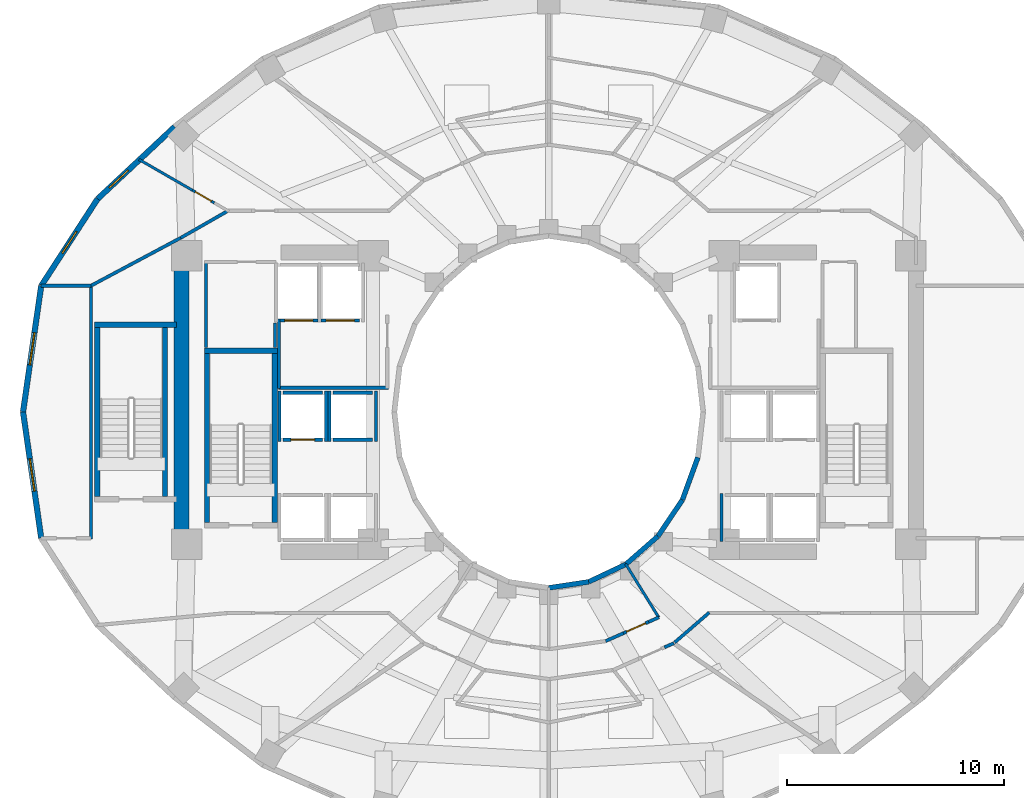
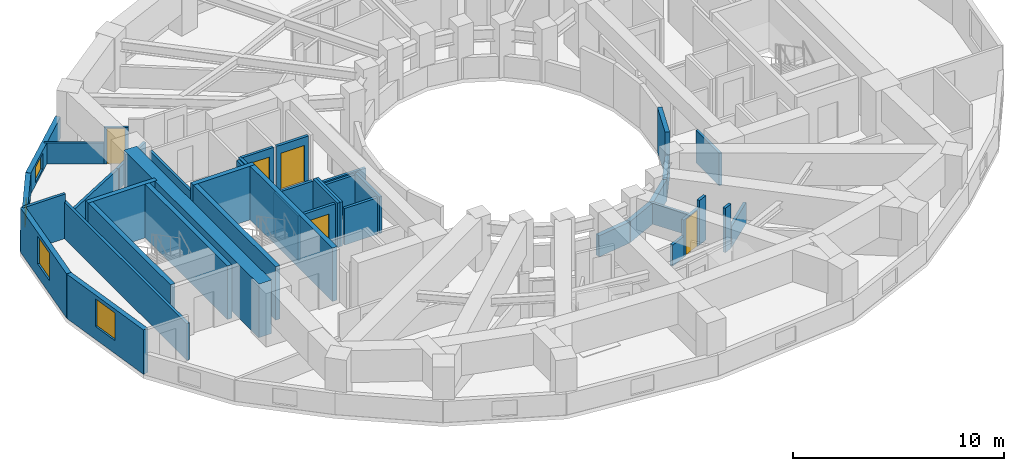
# One storey, part 4 of 9: 43 walls, 5 doors, 4 windows, 9 openings.
"""IFC4 building model written with IfcOpenShell, lengths in metres."""

from ifc_helpers import new_model, si_unit, direction, frame, frame_2d, origin, place, context, subcontext, project, spatial, rectangle, extrude, material, layer, layer_set, type_object, element, fill, save


model = new_model("IFC4")

# Units and contexts
model_context = context("Model", 3, precision=1e-05, world=origin(), true_north=direction((0.0, 1.0)))
body_context = subcontext(model_context, "Body", "Model", "MODEL_VIEW")
ifc_project = project(units=[si_unit("LENGTHUNIT", "METRE"), si_unit("AREAUNIT", "SQUARE_METRE"), si_unit("VOLUMEUNIT", "CUBIC_METRE"), si_unit("PLANEANGLEUNIT", "RADIAN"), si_unit("MASSUNIT", "GRAM", prefix="KILO")], contexts=[model_context])

# Site, building, storey
site_placement = place(None, origin())
site = spatial("IfcSite", under=ifc_project, at=site_placement, CompositionType="ELEMENT")
building_placement = place(site_placement, origin())
building = spatial("IfcBuilding", under=site, at=building_placement, Name="Solvane Sanctuary Tower", CompositionType="ELEMENT")
storey_placement = place(building_placement, frame((0.0, 0.0, 110.39990234375)))
storey = spatial("IfcBuildingStorey", under=building, at=storey_placement, Name="L33", CompositionType="ELEMENT", Elevation=110.39990234375)

# Walls
ifc_material_1 = material(Name="Concrete C60/75", Category="concrete")
ifc_layer_1 = layer(ifc_material_1, 0.699951171875, Name="Concrete C60/75")
ifc_layer_set_1 = layer_set([ifc_layer_1], Name="Concrete C60/75")
wall_type_1 = type_object("IfcWallType", Name="Wall W-CORE-700", PredefinedType="SHEAR", material=ifc_layer_set_1)
wall_1_placement = place(storey_placement, frame((15.050048828125, 17.050048828125, 0.0), z_axis=(0.0, 0.0, 1.0), x_axis=(0.0, 1.0, 0.0)))
element("IfcWall", 1, at=wall_1_placement, inside=storey, type_object=wall_type_1, Name="L33 Core Shear Wall WC-W", PredefinedType="SHEAR", context=body_context, shape_type="SweptSolid", body=[
    extrude(rectangle(XDim=12.800048828125, YDim=0.699951171875, at=frame_2d((6.39990234375, 0.0))), origin(), (0.0, 0.0, 1.0), 3.10009765625),
])
ifc_material_2 = material(Name="Acoustic Gypsum Partition Board")
ifc_layer_2 = layer(ifc_material_2, 0.14990234375, Name="Acoustic Gypsum Partition Board")
ifc_layer_set_2 = layer_set([ifc_layer_2], Name="Acoustic Gypsum Partition Board")
wall_type_2 = type_object("IfcWallType", Name="Wall W-CORR-150", PredefinedType="PARTITIONING", material=ifc_layer_set_2)
wall_2_placement = place(storey_placement, frame((19.52001953125, 24.1201171875, 0.0), z_axis=(0.0, 0.0, 1.0), x_axis=(1.0, 0.0, 0.0)))
element("IfcWall", 2, at=wall_2_placement, inside=storey, type_object=wall_type_2, Name="L33 West Firefighting Lobby South Wall", PredefinedType="PARTITIONING", context=body_context, shape_type="SweptSolid", body=[
    extrude(rectangle(XDim=5.080078125, YDim=0.14990234375, at=frame_2d((2.5400390625, 0.0))), origin(), (0.0, 0.0, 1.0), 2.1201171875),
])
wall_3_placement = place(storey_placement, frame((19.550048828125, 24.080078125, 0.0), z_axis=(0.0, 0.0, 1.0), x_axis=(0.0, 1.0, 0.0)))
element("IfcWall", 3, at=wall_3_placement, inside=storey, type_object=wall_type_2, Name="L33 West Firefighting Lobby West Wall", PredefinedType="PARTITIONING", context=body_context, shape_type="SweptSolid", body=[
    extrude(rectangle(XDim=3.199951171875, YDim=0.14990234375, at=frame_2d((1.60009765625, 0.0))), origin(), (0.0, 0.0, 1.0), 2.5751953125),
])
wall_4_placement = place(storey_placement, frame((10.8798828125, 17.134765625, 0.0), z_axis=(0.0, 0.0, 1.0), x_axis=(0.0, 1.0, 0.0)))
element("IfcWall", 4, at=wall_4_placement, inside=storey, type_object=wall_type_2, Name="L33 West Shoulder Back Wall", PredefinedType="PARTITIONING", context=body_context, shape_type="SweptSolid", body=[
    extrude(rectangle(XDim=11.73046875, YDim=0.14990234375, at=frame_2d((5.865234375, 0.0))), origin(), (0.0, 0.0, 1.0), 2.1201171875),
])
wall_5_placement = place(storey_placement, frame((8.558349609375, 28.8251953125, 0.0), z_axis=(0.0, 0.0, 1.0), x_axis=(1.0, 0.0, 0.0)))
element("IfcWall", 5, at=wall_5_placement, inside=storey, type_object=wall_type_2, Name="L33 West Shoulder North Wall", PredefinedType="PARTITIONING", context=body_context, shape_type="SweptSolid", body=[
    extrude(rectangle(XDim=2.321533203125, YDim=0.14990234375, at=frame_2d((1.16064453125, 0.0))), origin(), (0.0, 0.0, 1.0), 2.5751953125),
])
wall_6_placement = place(storey_placement, frame((10.8447265625, 28.806396484375, 0.0), z_axis=(0.0, 0.0, 1.0), x_axis=(0.88227840565, 0.470727962759, 0.0)))
element("IfcWall", 6, at=wall_6_placement, inside=storey, type_object=wall_type_2, Name="L33 NW Corner Closer 1", PredefinedType="PARTITIONING", context=body_context, shape_type="SweptSolid", body=[
    extrude(rectangle(XDim=4.806396484375, YDim=0.14990234375, at=frame_2d((2.4033203125, 0.0))), origin(), (0.0, 0.0, 1.0), 1.22021484375),
])
wall_7_placement = place(storey_placement, frame((17.243408203125, 32.3046875, 0.0), z_axis=(0.0, 0.0, 1.0), x_axis=(-0.867991349648, -0.496579315857, 0.0)))
element("IfcWall", 7, at=wall_7_placement, inside=storey, type_object=wall_type_2, Name="L33 NW Corner Wing Wall", PredefinedType="PARTITIONING", context=body_context, shape_type="SweptSolid", body=[
    extrude(rectangle(XDim=2.56689453125, YDim=0.14990234375, at=frame_2d((1.283447265625, 0.0))), origin(), (0.0, 0.0, 1.0), 1.22021484375),
])
wall_8_placement = place(storey_placement, frame((37.806640625, 12.35791015625, 0.0), z_axis=(0.0, 0.0, 1.0), x_axis=(0.756055312247, 0.654507727092, 0.0)))
element("IfcWall", 8, at=wall_8_placement, inside=storey, type_object=wall_type_2, Name="L33 SE Corner Throat Wall", PredefinedType="PARTITIONING", context=body_context, shape_type="SweptSolid", body=[
    extrude(rectangle(XDim=2.11083984375, YDim=0.14990234375, at=frame_2d((1.055419921875, 0.0))), origin(), (0.0, 0.0, 1.0), 1.22021484375),
])
wall_9_placement = place(storey_placement, frame((34.625244140625, 12.422607421875, 0.0), z_axis=(0.0, 0.0, 1.0), x_axis=(0.912863245368, 0.408265471546, 0.0)))
element("IfcWall", 9, at=wall_9_placement, inside=storey, type_object=wall_type_2, Name="L33 Inner Light-Well Corridor Wall S2", PredefinedType="PARTITIONING", context=body_context, shape_type="SweptSolid", body=[
    extrude(rectangle(XDim=0.90478515625, YDim=0.14990234375, at=frame_2d((0.452392578125, 0.0))), origin(), (0.0, 0.0, 1.0), 1.22021484375),
])

# Wall, opening, door
wall_10_placement = place(storey_placement, frame((35.451171875, 12.7919921875, 0.0), z_axis=(0.0, 0.0, 1.0), x_axis=(0.91289745036, 0.408188982122, 0.0)))
wall_10 = element("IfcWall", 10, at=wall_10_placement, inside=storey, type_object=wall_type_2, Name="L33 Inner Light-Well Corridor Wall S2", PredefinedType="PARTITIONING", context=body_context, shape_type="SweptSolid", body=[
    extrude(rectangle(XDim=1.269775390625, YDim=0.14990234375, at=frame_2d((0.634765625, 0.0))), origin(), (0.0, 0.0, 1.0), 2.16015625),
])
opening_1_placement = place(wall_10_placement, frame((0.159912109375, 0.0, 0.0)))
opening_1 = element("IfcOpeningElement", 11, at=opening_1_placement, cuts=wall_10, Name="Opening D-L33-16", PredefinedType="OPENING", context=body_context, shape_type="SweptSolid", body=[
    extrude(rectangle(XDim=0.949951171875, YDim=2.10009765625, at=frame_2d((0.47509765625, 1.050048828125))), frame((0.0, 0.0849609375, 0.0), z_axis=(0.0, -1.0, 0.0), x_axis=(1.0, 0.0, 0.0)), (0.0, 0.0, 1.0), 0.169921875),
])
ifc_material_3 = material(Name="Engineered Tropical Hardwood", Category="wood")
door_type_1 = type_object("IfcDoorType", Name="Door D-ROOM-950", OperationType="NOTDEFINED", PredefinedType="DOOR", material=ifc_material_3)
door_1_placement = place(opening_1_placement, origin())
door_1 = element("IfcDoor", 12, at=door_1_placement, inside=storey, type_object=door_type_1, Name="L33 Inner Light-Well Salon Door S2", OperationType="SINGLE_SWING_LEFT", OverallHeight=2.10009765625, OverallWidth=0.949951171875, PredefinedType="DOOR", context=body_context, shape_type="SweptSolid", body=[
    extrude(rectangle(XDim=0.949951171875, YDim=2.10009765625, at=frame_2d((0.47509765625, 1.050048828125))), frame((0.0, 0.02490234375, 0.0), z_axis=(0.0, -1.0, 0.0), x_axis=(1.0, 0.0, 0.0)), (0.0, 0.0, 1.0), 0.050048828125),
])
fill(opening_1, door_1)

# Walls
wall_11_placement = place(storey_placement, frame((36.6103515625, 13.310302734375, 0.0), z_axis=(0.0, 0.0, 1.0), x_axis=(0.912911125305, 0.40815839731, 0.0)))
element("IfcWall", 13, at=wall_11_placement, inside=storey, type_object=wall_type_2, Name="L33 Inner Light-Well Corridor Wall S2", PredefinedType="PARTITIONING", context=body_context, shape_type="SweptSolid", body=[
    extrude(rectangle(XDim=0.515625, YDim=0.14990234375, at=frame_2d((0.2578125, 0.0))), origin(), (0.0, 0.0, 1.0), 2.5751953125),
])
wall_12_placement = place(storey_placement, frame((37.34130859375, 12.135498046875, 0.0), z_axis=(0.0, 0.0, 1.0), x_axis=(0.914387769504, 0.404839482983, 0.0)))
element("IfcWall", 14, at=wall_12_placement, inside=storey, type_object=wall_type_2, Name="L33 Unit Corridor Wall S2", PredefinedType="PARTITIONING", context=body_context, shape_type="SweptSolid", body=[
    extrude(rectangle(XDim=0.470947265625, YDim=0.14990234375, at=frame_2d((0.2353515625, 0.0))), origin(), (0.0, 0.0, 1.0), 2.5751953125),
])

# Wall, opening, window
ifc_material_4 = material(Name="Precast concrete C40/50", Category="concrete")
ifc_layer_3 = layer(ifc_material_4, 0.260009765625, Name="Precast concrete C40/50")
ifc_layer_set_3 = layer_set([ifc_layer_3], Name="Precast concrete C40/50")
wall_type_3 = type_object("IfcWallType", Name="Wall W-EXT-250", PredefinedType="STANDARD", material=ifc_layer_set_3)
wall_13_placement = place(storey_placement, frame((14.734130859375, 36.1533203125, 0.0), z_axis=(0.0, 0.0, 1.0), x_axis=(-0.730162452258, -0.68327358599, 0.0)))
wall_13 = element("IfcWall", 15, at=wall_13_placement, inside=storey, type_object=wall_type_3, Name="L33 Ceramic-Printed Facade Wall 09", PredefinedType="STANDARD", context=body_context, shape_type="SweptSolid", body=[
    extrude(rectangle(XDim=4.868408203125, YDim=0.260009765625, at=frame_2d((2.43408203125, 0.0))), origin(), (0.0, 0.0, 1.0), 1.22021484375),
])
opening_2_placement = place(wall_13_placement, frame((2.919189453125, 0.0, 0.14990234375)))
opening_2 = element("IfcOpeningElement", 16, at=opening_2_placement, cuts=wall_13, Name="Opening WN-OPER-1200", PredefinedType="OPENING", context=body_context, shape_type="SweptSolid", body=[
    extrude(rectangle(XDim=1.199951171875, YDim=0.89990234375, at=frame_2d((0.60009765625, 0.449951171875))), frame((0.0, 0.139892578125, 0.0), z_axis=(0.0, -1.0, 0.0), x_axis=(1.0, 0.0, 0.0)), (0.0, 0.0, 1.0), 0.280029296875),
])
ifc_material_5 = material(Name="Dark Ceramic-Fritted Low-E Glass", Category="glass")
window_type_1 = type_object("IfcWindowType", Name="Window WN-OPER-1200", PartitioningType="SINGLE_PANEL", PredefinedType="WINDOW", material=ifc_material_5)
window_1_placement = place(opening_2_placement, origin())
window_1 = element("IfcWindow", 17, at=window_1_placement, inside=storey, type_object=window_type_1, Name="L33 Operable Facade Window 09", OverallHeight=0.89990234375, OverallWidth=1.199951171875, PartitioningType="SINGLE_PANEL", PredefinedType="WINDOW", context=body_context, shape_type="SweptSolid", body=[
    extrude(rectangle(XDim=1.199951171875, YDim=0.89990234375, at=frame_2d((0.60009765625, 0.449951171875))), frame((0.0, 0.030029296875, 0.0), z_axis=(0.0, -1.0, 0.0), x_axis=(1.0, 0.0, 0.0)), (0.0, 0.0, 1.0), 0.06005859375),
])
fill(opening_2, window_1)

wall_14_placement = place(storey_placement, frame((11.179443359375, 32.826904296875, 0.0), z_axis=(0.0, 0.0, 1.0), x_axis=(-0.544388392991, -0.838833283541, 0.0)))
wall_14 = element("IfcWall", 18, at=wall_14_placement, inside=storey, type_object=wall_type_3, Name="L33 Ceramic-Printed Facade Wall 10", PredefinedType="STANDARD", context=body_context, shape_type="SweptSolid", body=[
    extrude(rectangle(XDim=4.7783203125, YDim=0.260009765625, at=frame_2d((2.38916015625, 0.0))), origin(), (0.0, 0.0, 1.0), 1.22021484375),
])
opening_3_placement = place(wall_14_placement, frame((1.7890625, 0.0, 0.14990234375)))
opening_3 = element("IfcOpeningElement", 19, at=opening_3_placement, cuts=wall_14, Name="Opening WN-OPER-1200", PredefinedType="OPENING", context=body_context, shape_type="SweptSolid", body=[
    extrude(rectangle(XDim=1.199951171875, YDim=0.89990234375, at=frame_2d((0.60009765625, 0.449951171875))), frame((0.0, 0.139892578125, 0.0), z_axis=(0.0, -1.0, 0.0), x_axis=(1.0, 0.0, 0.0)), (0.0, 0.0, 1.0), 0.280029296875),
])
window_2_placement = place(opening_3_placement, origin())
window_2 = element("IfcWindow", 20, at=window_2_placement, inside=storey, type_object=window_type_1, Name="L33 Operable Facade Window 10", OverallHeight=0.89990234375, OverallWidth=1.199951171875, PartitioningType="SINGLE_PANEL", PredefinedType="WINDOW", context=body_context, shape_type="SweptSolid", body=[
    extrude(rectangle(XDim=1.199951171875, YDim=0.89990234375, at=frame_2d((0.60009765625, 0.449951171875))), frame((0.0, 0.030029296875, 0.0), z_axis=(0.0, -1.0, 0.0), x_axis=(1.0, 0.0, 0.0)), (0.0, 0.0, 1.0), 0.06005859375),
])
fill(opening_3, window_2)

wall_15_placement = place(storey_placement, frame((8.578125, 28.818603515625, 0.0), z_axis=(0.0, 0.0, 1.0), x_axis=(-0.142572472068, -0.98978436551, 0.0)))
wall_15 = element("IfcWall", 21, at=wall_15_placement, inside=storey, type_object=wall_type_3, Name="L33 Ceramic-Printed Facade Wall 11", PredefinedType="STANDARD", context=body_context, shape_type="SweptSolid", body=[
    extrude(rectangle(XDim=5.878662109375, YDim=0.260009765625, at=frame_2d((2.939453125, 0.0))), origin(), (0.0, 0.0, 1.0), 2.570068359375),
])
opening_4_placement = place(wall_15_placement, frame((2.189453125, 0.0, 0.75)))
opening_4 = element("IfcOpeningElement", 22, at=opening_4_placement, cuts=wall_15, Name="Opening WN-OPER-1500", PredefinedType="OPENING", context=body_context, shape_type="SweptSolid", body=[
    extrude(rectangle(XDim=1.5, YDim=1.60009765625, at=frame_2d((0.75, 0.800048828125))), frame((0.0, 0.139892578125, 0.0), z_axis=(0.0, -1.0, 0.0), x_axis=(1.0, 0.0, 0.0)), (0.0, 0.0, 1.0), 0.280029296875),
])
window_type_2 = type_object("IfcWindowType", Name="Window WN-OPER-1500", PartitioningType="SINGLE_PANEL", PredefinedType="WINDOW", material=ifc_material_5)
window_3_placement = place(opening_4_placement, origin())
window_3 = element("IfcWindow", 23, at=window_3_placement, inside=storey, type_object=window_type_2, Name="L33 Operable Facade Window 11", OverallHeight=1.60009765625, OverallWidth=1.5, PartitioningType="SINGLE_PANEL", PredefinedType="WINDOW", context=body_context, shape_type="SweptSolid", body=[
    extrude(rectangle(XDim=1.5, YDim=1.60009765625, at=frame_2d((0.75, 0.800048828125))), frame((0.0, 0.030029296875, 0.0), z_axis=(0.0, -1.0, 0.0), x_axis=(1.0, 0.0, 0.0)), (0.0, 0.0, 1.0), 0.06005859375),
])
fill(opening_4, window_3)

wall_16_placement = place(storey_placement, frame((7.739990234375, 23.0, 0.0), z_axis=(0.0, 0.0, 1.0), x_axis=(0.142572472068, -0.98978436551, 0.0)))
wall_16 = element("IfcWall", 24, at=wall_16_placement, inside=storey, type_object=wall_type_3, Name="L33 Ceramic-Printed Facade Wall 12", PredefinedType="STANDARD", context=body_context, shape_type="SweptSolid", body=[
    extrude(rectangle(XDim=5.878662109375, YDim=0.260009765625, at=frame_2d((2.939453125, 0.0))), origin(), (0.0, 0.0, 1.0), 2.570068359375),
])
opening_5_placement = place(wall_16_placement, frame((2.189453125, 0.0, 0.75)))
opening_5 = element("IfcOpeningElement", 25, at=opening_5_placement, cuts=wall_16, Name="Opening WN-OPER-1500", PredefinedType="OPENING", context=body_context, shape_type="SweptSolid", body=[
    extrude(rectangle(XDim=1.5, YDim=1.60009765625, at=frame_2d((0.75, 0.800048828125))), frame((0.0, 0.139892578125, 0.0), z_axis=(0.0, -1.0, 0.0), x_axis=(1.0, 0.0, 0.0)), (0.0, 0.0, 1.0), 0.280029296875),
])
window_4_placement = place(opening_5_placement, origin())
window_4 = element("IfcWindow", 26, at=window_4_placement, inside=storey, type_object=window_type_2, Name="L33 Operable Facade Window 12", OverallHeight=1.60009765625, OverallWidth=1.5, PartitioningType="SINGLE_PANEL", PredefinedType="WINDOW", context=body_context, shape_type="SweptSolid", body=[
    extrude(rectangle(XDim=1.5, YDim=1.60009765625, at=frame_2d((0.75, 0.800048828125))), frame((0.0, 0.030029296875, 0.0), z_axis=(0.0, -1.0, 0.0), x_axis=(1.0, 0.0, 0.0)), (0.0, 0.0, 1.0), 0.06005859375),
])
fill(opening_5, window_4)

# Walls
ifc_layer_4 = layer(ifc_material_4, 0.22998046875, Name="Precast concrete C40/50")
ifc_layer_set_4 = layer_set([ifc_layer_4], Name="Precast concrete C40/50")
wall_type_4 = type_object("IfcWallType", Name="Wall W-EXT-SP220", PredefinedType="STANDARD", material=ifc_layer_set_4)
wall_17_placement = place(storey_placement, frame((32.0, 14.8798828125, 0.0), z_axis=(0.0, 0.0, 1.0), x_axis=(0.988901730308, 0.148571086668, 0.0)))
element("IfcWall", 27, at=wall_17_placement, inside=storey, type_object=wall_type_4, Name="L33 Central Light-Well Wall 18", PredefinedType="STANDARD", context=body_context, shape_type="SweptSolid", body=[
    extrude(rectangle(XDim=1.863525390625, YDim=0.22998046875, at=frame_2d((0.931640625, 0.0))), origin(), (0.0, 0.0, 1.0), 1.22021484375),
])
wall_18_placement = place(storey_placement, frame((33.8427734375, 15.15673828125, 0.0), z_axis=(0.0, 0.0, 1.0), x_axis=(0.904179699603, 0.427152280606, 0.0)))
element("IfcWall", 28, at=wall_18_placement, inside=storey, type_object=wall_type_4, Name="L33 Central Light-Well Wall 19", PredefinedType="STANDARD", context=body_context, shape_type="SweptSolid", body=[
    extrude(rectangle(XDim=1.899169921875, YDim=0.22998046875, at=frame_2d((0.94970703125, 0.0))), origin(), (0.0, 0.0, 1.0), 1.22021484375),
])
wall_19_placement = place(storey_placement, frame((35.56005859375, 15.968017578125, 0.0), z_axis=(0.0, 0.0, 1.0), x_axis=(0.752576694707, 0.658504607869, 0.0)))
element("IfcWall", 29, at=wall_19_placement, inside=storey, type_object=wall_type_4, Name="L33 Central Light-Well Wall 20", PredefinedType="STANDARD", context=body_context, shape_type="SweptSolid", body=[
    extrude(rectangle(XDim=1.95947265625, YDim=0.22998046875, at=frame_2d((0.979736328125, 0.0))), origin(), (0.0, 0.0, 1.0), 1.22021484375),
])
wall_20_placement = place(storey_placement, frame((37.03466796875, 17.25830078125, 0.0), z_axis=(0.0, 0.0, 1.0), x_axis=(0.558197800898, 0.829707909492, 0.0)))
element("IfcWall", 30, at=wall_20_placement, inside=storey, type_object=wall_type_4, Name="L33 Central Light-Well Wall 21", PredefinedType="STANDARD", context=body_context, shape_type="SweptSolid", body=[
    extrude(rectangle(XDim=2.02685546875, YDim=0.22998046875, at=frame_2d((1.013427734375, 0.0))), origin(), (0.0, 0.0, 1.0), 1.22021484375),
])
wall_21_placement = place(storey_placement, frame((38.166015625, 18.93994140625, 0.0), z_axis=(0.0, 0.0, 1.0), x_axis=(0.341423187295, 0.93990968033, 0.0)))
element("IfcWall", 31, at=wall_21_placement, inside=storey, type_object=wall_type_4, Name="L33 Central Light-Well Wall 22", PredefinedType="STANDARD", context=body_context, shape_type="SweptSolid", body=[
    extrude(rectangle(XDim=2.083740234375, YDim=0.22998046875, at=frame_2d((1.0419921875, 0.0))), origin(), (0.0, 0.0, 1.0), 2.56005859375),
])

# Wall, opening, door
ifc_layer_5 = layer(ifc_material_2, 0.1201171875, Name="Acoustic Gypsum Partition Board")
ifc_layer_set_5 = layer_set([ifc_layer_5], Name="Acoustic Gypsum Partition Board")
wall_type_5 = type_object("IfcWallType", Name="Wall W-MOV-100", PredefinedType="MOVABLE", material=ifc_layer_set_5)
wall_22_placement = place(storey_placement, frame((16.56494140625, 32.64599609375, 0.0), z_axis=(0.0, 0.0, 1.0), x_axis=(-0.8662585361, 0.499595985407, 0.0)))
wall_22 = element("IfcWall", 32, at=wall_22_placement, inside=storey, type_object=wall_type_5, Name="L33 NW Corner Suite Partition", PredefinedType="MOVABLE", context=body_context, shape_type="SweptSolid", body=[
    extrude(rectangle(XDim=1.169921875, YDim=0.1201171875, at=frame_2d((0.5849609375, 0.0))), origin(), (0.0, 0.0, 1.0), 2.110107421875),
])
opening_6_placement = place(wall_22_placement, frame((0.159912109375, 0.0, 0.0)))
opening_6 = element("IfcOpeningElement", 33, at=opening_6_placement, cuts=wall_22, Name="Opening D-L33-11", PredefinedType="OPENING", context=body_context, shape_type="SweptSolid", body=[
    extrude(rectangle(XDim=0.85009765625, YDim=2.050048828125, at=frame_2d((0.425048828125, 1.02490234375))), frame((0.0, 0.070068359375, 0.0), z_axis=(0.0, -1.0, 0.0), x_axis=(1.0, 0.0, 0.0)), (0.0, 0.0, 1.0), 0.14013671875),
])
ifc_material_6 = material(Name="Architectural Stainless Steel 316", Category="steel")
door_type_2 = type_object("IfcDoorType", Name="Door D-RISER", OperationType="NOTDEFINED", PredefinedType="DOOR", material=ifc_material_6)
door_2_placement = place(opening_6_placement, origin())
door_2 = element("IfcDoor", 34, at=door_2_placement, inside=storey, type_object=door_type_2, Name="L33 NW Corner Suite Door", OperationType="SINGLE_SWING_RIGHT", OverallHeight=2.050048828125, OverallWidth=0.85009765625, PredefinedType="DOOR", context=body_context, shape_type="SweptSolid", body=[
    extrude(rectangle(XDim=0.85009765625, YDim=2.050048828125, at=frame_2d((0.425048828125, 1.02490234375))), frame((0.0, 0.02490234375, 0.0), z_axis=(0.0, -1.0, 0.0), x_axis=(1.0, 0.0, 0.0)), (0.0, 0.0, 1.0), 0.050048828125),
])
fill(opening_6, door_2)

# Walls
wall_23_placement = place(storey_placement, frame((15.551513671875, 33.23046875, 0.0), z_axis=(0.0, 0.0, 1.0), x_axis=(-0.866332910178, 0.499467004658, 0.0)))
element("IfcWall", 35, at=wall_23_placement, inside=storey, type_object=wall_type_5, Name="L33 NW Corner Suite Partition", PredefinedType="MOVABLE", context=body_context, shape_type="SweptSolid", body=[
    extrude(rectangle(XDim=2.8408203125, YDim=0.1201171875, at=frame_2d((1.42041015625, 0.0))), origin(), (0.0, 0.0, 1.0), 1.22021484375),
])
ifc_layer_6 = layer(ifc_material_2, 0.125, Name="Acoustic Gypsum Partition Board")
ifc_layer_set_6 = layer_set([ifc_layer_6], Name="Acoustic Gypsum Partition Board")
wall_type_6 = type_object("IfcWallType", Name="Wall W-PART-125", PredefinedType="PARTITIONING", material=ifc_layer_set_6)
wall_24_placement = place(storey_placement, frame((35.550048828125, 15.985107421875, 0.0), z_axis=(0.0, 0.0, 1.0), x_axis=(0.525627246902, -0.850714991824, 0.0)))
element("IfcWall", 36, at=wall_24_placement, inside=storey, type_object=wall_type_6, Name="L33 Inner Light-Well Radial Wall 300", PredefinedType="PARTITIONING", context=body_context, shape_type="SweptSolid", body=[
    extrude(rectangle(XDim=2.901123046875, YDim=0.125, at=frame_2d((1.45068359375, 0.0))), origin(), (0.0, 0.0, 1.0), 1.22021484375),
])
ifc_material_7 = material(Name="Concrete C50/60", Category="concrete")
ifc_layer_7 = layer(ifc_material_7, 0.14990234375, Name="Concrete C50/60")
ifc_layer_set_7 = layer_set([ifc_layer_7], Name="Concrete C50/60")
wall_type_7 = type_object("IfcWallType", Name="Wall W-SHAFT-150", PredefinedType="SOLIDWALL", material=ifc_layer_set_7)
wall_25_placement = place(storey_placement, frame((39.969970703125, 17.02001953125, 0.0), z_axis=(0.0, 0.0, 1.0), x_axis=(0.0, 1.0, 0.0)))
element("IfcWall", 37, at=wall_25_placement, inside=storey, type_object=wall_type_7, Name="L33 PL-3 Lift Shaft Wall S1", PredefinedType="SOLIDWALL", context=body_context, shape_type="SweptSolid", body=[
    extrude(rectangle(XDim=2.219970703125, YDim=0.14990234375, at=frame_2d((1.10986328125, 0.0))), origin(), (0.0, 0.0, 1.0), 1.873046875),
])

# Wall, opening, door
wall_26_placement = place(storey_placement, frame((19.739990234375, 21.719970703125, 0.0), z_axis=(0.0, 0.0, 1.0), x_axis=(1.0, 0.0, 0.0)))
wall_26 = element("IfcWall", 38, at=wall_26_placement, inside=storey, type_object=wall_type_7, Name="L33 PM-1 Lift Shaft Wall F", PredefinedType="SOLIDWALL", context=body_context, shape_type="SweptSolid", body=[
    extrude(rectangle(XDim=1.820068359375, YDim=0.14990234375, at=frame_2d((0.91015625, 0.0))), origin(), (0.0, 0.0, 1.0), 2.5751953125),
])
opening_7_placement = place(wall_26_placement, frame((0.360107421875, 0.0, 0.0)))
opening_7 = element("IfcOpeningElement", 39, at=opening_7_placement, cuts=wall_26, Name="Opening LD-L33-01", PredefinedType="OPENING", context=body_context, shape_type="SweptSolid", body=[
    extrude(rectangle(XDim=1.10009765625, YDim=2.10009765625, at=frame_2d((0.550048828125, 1.050048828125))), frame((0.0, 0.0849609375, 0.0), z_axis=(0.0, -1.0, 0.0), x_axis=(1.0, 0.0, 0.0)), (0.0, 0.0, 1.0), 0.169921875),
])
door_type_3 = type_object("IfcDoorType", Name="Door LD-PASS-1100", OperationType="NOTDEFINED", PredefinedType="DOOR", material=ifc_material_6)
door_3_placement = place(opening_7_placement, origin())
door_3 = element("IfcDoor", 40, at=door_3_placement, inside=storey, type_object=door_type_3, Name="L33 PM-1 Lift Landing Door", OperationType="DOUBLE_DOOR_SLIDING", OverallHeight=2.10009765625, OverallWidth=1.10009765625, PredefinedType="DOOR", context=body_context, shape_type="SweptSolid", body=[
    extrude(rectangle(XDim=1.10009765625, YDim=2.10009765625, at=frame_2d((0.550048828125, 1.050048828125))), frame((0.0, 0.02490234375, 0.0), z_axis=(0.0, -1.0, 0.0), x_axis=(1.0, 0.0, 0.0)), (0.0, 0.0, 1.0), 0.050048828125),
])
fill(opening_7, door_3)

# Walls
wall_27_placement = place(storey_placement, frame((19.739990234375, 23.8798828125, 0.0), z_axis=(0.0, 0.0, 1.0), x_axis=(1.0, 0.0, 0.0)))
element("IfcWall", 41, at=wall_27_placement, inside=storey, type_object=wall_type_7, Name="L33 PM-1 Lift Shaft Wall B", PredefinedType="SOLIDWALL", context=body_context, shape_type="SweptSolid", body=[
    extrude(rectangle(XDim=1.820068359375, YDim=0.14990234375, at=frame_2d((0.91015625, 0.0))), origin(), (0.0, 0.0, 1.0), 2.5751953125),
])
for number, where, z_axis, x_axis, name in (
    (42, (19.570068359375, 21.639892578125, 0.0), (0.0, 0.0, 1.0), (0.0, 1.0, 0.0), "L33 PM-1 Lift Shaft Wall S1"),
    (43, (21.72998046875, 21.639892578125, 0.0), (0.0, 0.0, 1.0), (0.0, 1.0, 0.0), "L33 PM-1 Lift Shaft Wall S2"),
):
    element("IfcWall", number, at=place(storey_placement, frame(where, z_axis=z_axis, x_axis=x_axis)), inside=storey, type_object=wall_type_7, Name=name, PredefinedType="SOLIDWALL", context=body_context, shape_type="SweptSolid", body=[
        extrude(rectangle(XDim=2.320068359375, YDim=0.14990234375, at=frame_2d((1.16015625, 0.0))), origin(), (0.0, 0.0, 1.0), 2.5751953125),
    ])
for number, where, z_axis, x_axis, name in (
    (44, (22.0400390625, 21.719970703125, 0.0), (0.0, 0.0, 1.0), (1.0, 0.0, 0.0), "L33 PH-1 Lift Shaft Wall F"),
    (45, (22.0400390625, 23.8798828125, 0.0), (0.0, 0.0, 1.0), (1.0, 0.0, 0.0), "L33 PH-1 Lift Shaft Wall B"),
):
    element("IfcWall", number, at=place(storey_placement, frame(where, z_axis=z_axis, x_axis=x_axis)), inside=storey, type_object=wall_type_7, Name=name, PredefinedType="SOLIDWALL", context=body_context, shape_type="SweptSolid", body=[
        extrude(rectangle(XDim=1.820068359375, YDim=0.14990234375, at=frame_2d((0.91015625, 0.0))), origin(), (0.0, 0.0, 1.0), 2.1201171875),
    ])
wall_28_placement = place(storey_placement, frame((21.8701171875, 21.639892578125, 0.0), z_axis=(0.0, 0.0, 1.0), x_axis=(0.0, 1.0, 0.0)))
element("IfcWall", 46, at=wall_28_placement, inside=storey, type_object=wall_type_7, Name="L33 PH-1 Lift Shaft Wall S1", PredefinedType="SOLIDWALL", context=body_context, shape_type="SweptSolid", body=[
    extrude(rectangle(XDim=2.320068359375, YDim=0.14990234375, at=frame_2d((1.16015625, 0.0))), origin(), (0.0, 0.0, 1.0), 2.5751953125),
])
wall_29_placement = place(storey_placement, frame((24.030029296875, 21.639892578125, 0.0), z_axis=(0.0, 0.0, 1.0), x_axis=(0.0, 1.0, 0.0)))
element("IfcWall", 47, at=wall_29_placement, inside=storey, type_object=wall_type_7, Name="L33 PH-1 Lift Shaft Wall S2", PredefinedType="SOLIDWALL", context=body_context, shape_type="SweptSolid", body=[
    extrude(rectangle(XDim=2.320068359375, YDim=0.14990234375, at=frame_2d((1.16015625, 0.0))), origin(), (0.0, 0.0, 1.0), 2.1201171875),
])

# Wall, opening, door
wall_30_placement = place(storey_placement, frame((19.590087890625, 27.219970703125, 0.0), z_axis=(0.0, 0.0, 1.0), x_axis=(1.0, 0.0, 0.0)))
wall_30 = element("IfcWall", 48, at=wall_30_placement, inside=storey, type_object=wall_type_7, Name="L33 FFL-1 Lift Shaft Wall F", PredefinedType="SOLIDWALL", context=body_context, shape_type="SweptSolid", body=[
    extrude(rectangle(XDim=1.760009765625, YDim=0.14990234375, at=frame_2d((0.8798828125, 0.0))), origin(), (0.0, 0.0, 1.0), 2.5751953125),
])
opening_8_placement = place(wall_30_placement, frame((0.22998046875, 0.0, 0.0)))
opening_8 = element("IfcOpeningElement", 49, at=opening_8_placement, cuts=wall_30, Name="Opening LD-L33-03", PredefinedType="OPENING", context=body_context, shape_type="SweptSolid", body=[
    extrude(rectangle(XDim=1.300048828125, YDim=2.10009765625, at=frame_2d((0.64990234375, 1.050048828125))), frame((0.0, 0.0849609375, 0.0), z_axis=(0.0, -1.0, 0.0), x_axis=(1.0, 0.0, 0.0)), (0.0, 0.0, 1.0), 0.169921875),
])
door_type_4 = type_object("IfcDoorType", Name="Door LD-FFL-1300", OperationType="NOTDEFINED", PredefinedType="DOOR", material=ifc_material_6)
door_4_placement = place(opening_8_placement, origin())
door_4 = element("IfcDoor", 50, at=door_4_placement, inside=storey, type_object=door_type_4, Name="L33 FFL-1 Lift Landing Door", OperationType="DOUBLE_DOOR_SLIDING", OverallHeight=2.10009765625, OverallWidth=1.300048828125, PredefinedType="DOOR", context=body_context, shape_type="SweptSolid", body=[
    extrude(rectangle(XDim=1.300048828125, YDim=2.10009765625, at=frame_2d((0.64990234375, 1.050048828125))), frame((0.0, 0.02490234375, 0.0), z_axis=(0.0, -1.0, 0.0), x_axis=(1.0, 0.0, 0.0)), (0.0, 0.0, 1.0), 0.050048828125),
])
fill(opening_8, door_4)

wall_31_placement = place(storey_placement, frame((21.5, 27.219970703125, 0.0), z_axis=(0.0, 0.0, 1.0), x_axis=(1.0, 0.0, 0.0)))
wall_31 = element("IfcWall", 51, at=wall_31_placement, inside=storey, type_object=wall_type_7, Name="L33 SVL-1 Lift Shaft Wall F", PredefinedType="SOLIDWALL", context=body_context, shape_type="SweptSolid", body=[
    extrude(rectangle(XDim=1.760009765625, YDim=0.14990234375, at=frame_2d((0.8798828125, 0.0))), origin(), (0.0, 0.0, 1.0), 2.5751953125),
])
opening_9_placement = place(wall_31_placement, frame((0.22998046875, 0.0, 0.0)))
opening_9 = element("IfcOpeningElement", 52, at=opening_9_placement, cuts=wall_31, Name="Opening LD-L33-04", PredefinedType="OPENING", context=body_context, shape_type="SweptSolid", body=[
    extrude(rectangle(XDim=1.300048828125, YDim=2.10009765625, at=frame_2d((0.64990234375, 1.050048828125))), frame((0.0, 0.0849609375, 0.0), z_axis=(0.0, -1.0, 0.0), x_axis=(1.0, 0.0, 0.0)), (0.0, 0.0, 1.0), 0.169921875),
])
door_5_placement = place(opening_9_placement, origin())
door_5 = element("IfcDoor", 53, at=door_5_placement, inside=storey, type_object=door_type_4, Name="L33 SVL-1 Lift Landing Door", OperationType="DOUBLE_DOOR_SLIDING", OverallHeight=2.10009765625, OverallWidth=1.300048828125, PredefinedType="DOOR", context=body_context, shape_type="SweptSolid", body=[
    extrude(rectangle(XDim=1.300048828125, YDim=2.10009765625, at=frame_2d((0.64990234375, 1.050048828125))), frame((0.0, 0.02490234375, 0.0), z_axis=(0.0, -1.0, 0.0), x_axis=(1.0, 0.0, 0.0)), (0.0, 0.0, 1.0), 0.050048828125),
])
fill(opening_9, door_5)

# Walls
ifc_layer_8 = layer(ifc_material_7, 0.25, Name="Concrete C50/60")
ifc_layer_set_8 = layer_set([ifc_layer_8], Name="Concrete C50/60")
wall_type_8 = type_object("IfcWallType", Name="Wall W-SHAFT-250", PredefinedType="SOLIDWALL", material=ifc_layer_set_8)
wall_32_placement = place(storey_placement, frame((16.10498046875, 25.830078125, 0.0), z_axis=(0.0, 0.0, 1.0), x_axis=(1.0, 0.0, 0.0)))
element("IfcWall", 54, at=wall_32_placement, inside=storey, type_object=wall_type_8, Name="L33 ST-1 Load-Bearing Shaft Wall N", PredefinedType="SOLIDWALL", context=body_context, shape_type="SweptSolid", body=[
    extrude(rectangle(XDim=3.3701171875, YDim=0.25, at=frame_2d((1.68505859375, 0.0))), origin(), (0.0, 0.0, 1.0), 3.10009765625),
])
for number, where, z_axis, x_axis, name in (
    (55, (16.22998046875, 17.89501953125, 0.0), (0.0, 0.0, 1.0), (0.0, 1.0, 0.0), "L33 ST-1 Load-Bearing Shaft Wall W"),
    (56, (19.35009765625, 17.89501953125, 0.0), (0.0, 0.0, 1.0), (0.0, 1.0, 0.0), "L33 ST-1 Load-Bearing Shaft Wall E"),
):
    element("IfcWall", number, at=place(storey_placement, frame(where, z_axis=z_axis, x_axis=x_axis)), inside=storey, type_object=wall_type_8, Name=name, PredefinedType="SOLIDWALL", context=body_context, shape_type="SweptSolid", body=[
        extrude(rectangle(XDim=7.81005859375, YDim=0.25, at=frame_2d((3.905029296875, 0.0))), origin(), (0.0, 0.0, 1.0), 3.10009765625),
    ])
wall_33_placement = place(storey_placement, frame((11.044921875, 27.030029296875, 0.0), z_axis=(0.0, 0.0, 1.0), x_axis=(1.0, 0.0, 0.0)))
element("IfcWall", 57, at=wall_33_placement, inside=storey, type_object=wall_type_8, Name="L33 ST-3 Load-Bearing Shaft Wall N", PredefinedType="SOLIDWALL", context=body_context, shape_type="SweptSolid", body=[
    extrude(rectangle(XDim=3.781982421875, YDim=0.25, at=frame_2d((1.89111328125, 0.0))), origin(), (0.0, 0.0, 1.0), 3.10009765625),
])
for number, where, z_axis, x_axis, name in (
    (58, (11.169921875, 19.094970703125, 0.0), (0.0, 0.0, 1.0), (0.0, 1.0, 0.0), "L33 ST-3 Load-Bearing Shaft Wall W"),
    (59, (14.2900390625, 19.094970703125, 0.0), (0.0, 0.0, 1.0), (0.0, 1.0, 0.0), "L33 ST-3 Load-Bearing Shaft Wall E"),
):
    element("IfcWall", number, at=place(storey_placement, frame(where, z_axis=z_axis, x_axis=x_axis)), inside=storey, type_object=wall_type_8, Name=name, PredefinedType="SOLIDWALL", context=body_context, shape_type="SweptSolid", body=[
        extrude(rectangle(XDim=7.81005859375, YDim=0.25, at=frame_2d((3.905029296875, 0.0))), origin(), (0.0, 0.0, 1.0), 3.10009765625),
    ])
ifc_layer_9 = layer(ifc_material_2, 0.139892578125, Name="Acoustic Gypsum Partition Board")
ifc_layer_set_9 = layer_set([ifc_layer_9], Name="Acoustic Gypsum Partition Board")
wall_type_9 = type_object("IfcWallType", Name="Wall W-WET-140", PredefinedType="PLUMBINGWALL", material=ifc_layer_set_9)
wall_34_placement = place(storey_placement, frame((16.179931640625, 25.97998046875, 0.0), z_axis=(0.0, 0.0, 1.0), x_axis=(0.0, 1.0, 0.0)))
element("IfcWall", 60, at=wall_34_placement, inside=storey, type_object=wall_type_9, Name="L33 Core Service Side Wall KW0-1", PredefinedType="PLUMBINGWALL", context=body_context, shape_type="SweptSolid", body=[
    extrude(rectangle(XDim=3.880126953125, YDim=0.139892578125, at=frame_2d((1.93994140625, 0.0))), origin(), (0.0, 0.0, 1.0), 2.5751953125),
])
wall_35_placement = place(storey_placement, frame((19.360107421875, 25.97998046875, 0.0), z_axis=(0.0, 0.0, 1.0), x_axis=(0.0, 1.0, 0.0)))
element("IfcWall", 61, at=wall_35_placement, inside=storey, type_object=wall_type_9, Name="L33 Core Service Side Wall KW0-2", PredefinedType="PLUMBINGWALL", context=body_context, shape_type="SweptSolid", body=[
    extrude(rectangle(XDim=1.1201171875, YDim=0.139892578125, at=frame_2d((0.56005859375, 0.0))), origin(), (0.0, 0.0, 1.0), 2.5751953125),
])

save(model, "model.ifc")
